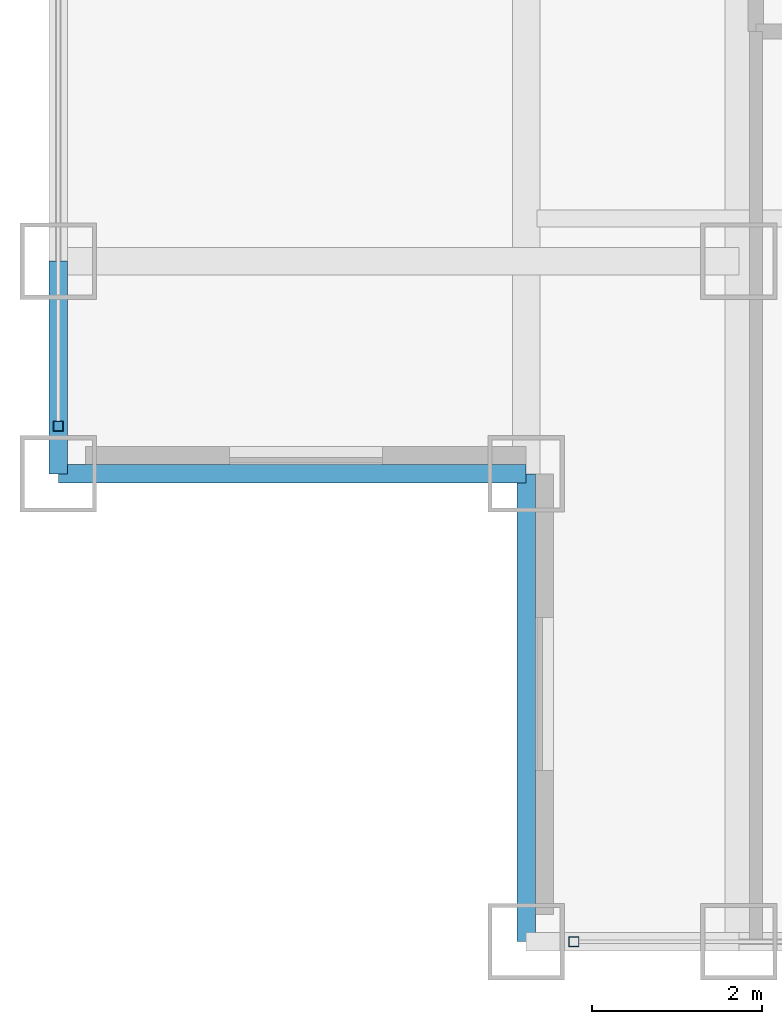
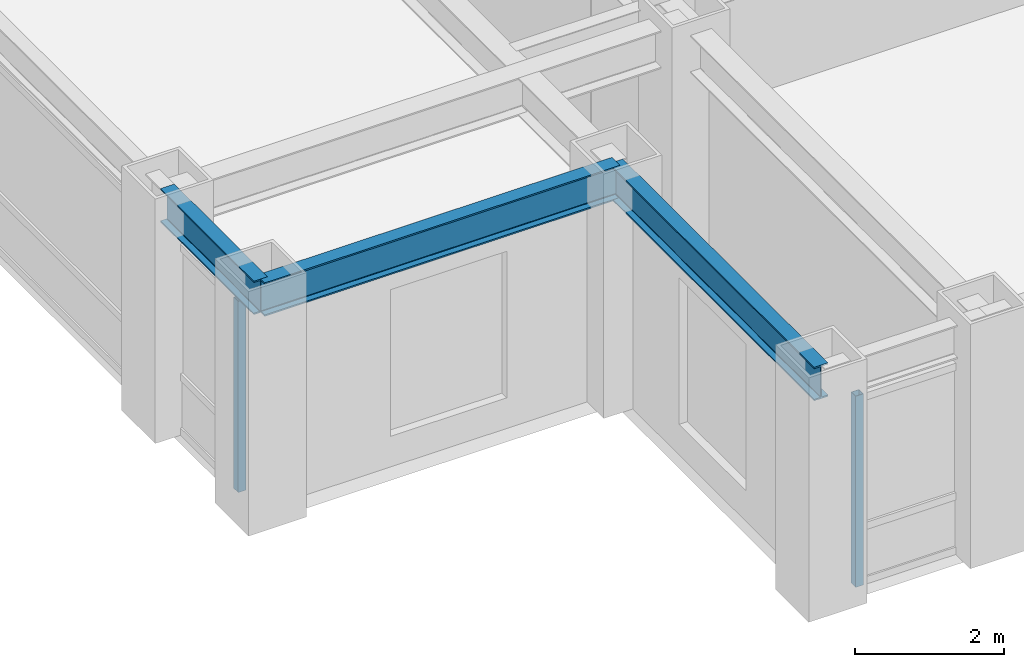
# One storey, part 2 of 22: 3 beams, 2 members, 2 elements without a shape of their own.
"""IFC4 building model written with IfcOpenShell, lengths in metres."""

from ifc_helpers import new_model, si_unit, direction, frame, origin, origin_2d, place, context, subcontext, project, spatial, hollow_rectangle, i_section, extrude, source, transform, mapped, material, material_profile, profile_set, type_object, element, aggregate, save


model = new_model("IFC4")

# Units and contexts
model_context = context("Model", 3, precision=1e-05, world=origin(), true_north=direction((0.0, 1.0)))
body_context = subcontext(model_context, "Body", "Model", "MODEL_VIEW")
ifc_project = project(units=[si_unit("LENGTHUNIT", "METRE"), si_unit("AREAUNIT", "SQUARE_METRE"), si_unit("VOLUMEUNIT", "CUBIC_METRE"), si_unit("PLANEANGLEUNIT", "RADIAN"), si_unit("MASSUNIT", "GRAM", prefix="KILO")], contexts=[model_context])

# Site, building, storey
site_placement = place(None, origin())
site = spatial("IfcSite", under=ifc_project, at=site_placement, CompositionType="ELEMENT")
building_placement = place(site_placement, origin())
building = spatial("IfcBuilding", under=site, at=building_placement, Name="Khorayat Bourse Tower", CompositionType="ELEMENT")
storey_placement = place(building_placement, frame((0.0, 0.0, 305.5)))
storey = spatial("IfcBuildingStorey", under=building, at=storey_placement, Name="L72", CompositionType="ELEMENT", Elevation=305.5)

# Beams
ifc_material_1 = material(Name="Steel ASTM A992 Grade 50", Category="steel")
ifc_material_profile_1 = material_profile(ifc_material_1, i_section(OverallWidth=0.214111328125, OverallDepth=0.549072265625, WebThickness=0.0146484375, FlangeThickness=0.023681640625, FilletRadius=0.013916015625, at=origin_2d()), Name="W530X138")
ifc_profile_set_1 = profile_set([ifc_material_profile_1], Name="Steel ASTM A992 Grade 50")
beam_type = type_object("IfcBeamType", Name="BM-SPAN-530", PredefinedType="SPANDREL", material=ifc_profile_set_1)
shared_shape_1 = source(origin(), body_context, "Body", "SweptSolid", [
    extrude(i_section(OverallWidth=0.214111328125, OverallDepth=0.549072265625, WebThickness=0.0146484375, FlangeThickness=0.023681640625, FilletRadius=0.013916015625, at=origin_2d()), origin(), (0.0, 0.0, 1.0), 2.5),
])
beam_placement = place(storey_placement, frame((-28.0, -22.5, 3.505615234375), z_axis=(0.0, 1.0, 0.0), x_axis=(-1.0, 0.0, 0.0)))
element("IfcBeam", 1, at=beam_placement, inside=storey, type_object=beam_type, Name="L72 BM-SPAN-530 BM-L72-SPN-061", PredefinedType="SPANDREL", context=body_context, shape_type="MappedRepresentation", body=[
    mapped(shared_shape_1, transform((0.0, 0.0, 0.0), scale=1.0)),
])
shared_shape_2 = source(origin(), body_context, "Body", "SweptSolid", [
    extrude(i_section(OverallWidth=0.214111328125, OverallDepth=0.549072265625, WebThickness=0.0146484375, FlangeThickness=0.023681640625, FilletRadius=0.013916015625, at=origin_2d()), origin(), (0.0, 0.0, 1.0), 5.5),
])
for number, where, z_axis, x_axis, name in (
    (2, (-28.0, -22.5, 3.505615234375), (1.0, 0.0, 0.0), (0.0, 1.0, 0.0), "L72 BM-SPAN-530 BM-L72-SPN-062"),
    (3, (-22.5, -28.0, 3.505615234375), (0.0, 1.0, 0.0), (-1.0, 0.0, 0.0), "L72 BM-SPAN-530 BM-L72-SPN-063"),
):
    element("IfcBeam", number, at=place(storey_placement, frame(where, z_axis=z_axis, x_axis=x_axis)), inside=storey, type_object=beam_type, Name=name, PredefinedType="SPANDREL", context=body_context, shape_type="MappedRepresentation", body=[
        mapped(shared_shape_2, transform((0.0, 0.0, 0.0), scale=1.0)),
    ])

# Curtain wall, member
ifc_material_2 = material(Name="Aluminium EN AW-6063 T6", Category="aluminium")
curtain_wall_type = type_object("IfcCurtainWallType", Name="CW-SYS-04", PredefinedType="NOTDEFINED", material=ifc_material_2)
curtain_wall_1_placement = place(storey_placement, origin())
curtain_wall_1 = element("IfcCurtainWall", 4, at=curtain_wall_1_placement, inside=storey, type_object=curtain_wall_type, Name="L72 Curtain Wall CW-L72-S1", PredefinedType="NOTDEFINED")
ifc_material_profile_2 = material_profile(ifc_material_2, hollow_rectangle(XDim=0.1201171875, YDim=0.1201171875, WallThickness=0.0048828125, at=origin_2d()), Name="ALU 120x120x5")
ifc_profile_set_2 = profile_set([ifc_material_profile_2], Name="Aluminium EN AW-6063 T6")
member_type = type_object("IfcMemberType", Name="CWM-VERT-120", PredefinedType="MULLION", material=ifc_profile_set_2)
shared_shape_3 = source(origin(), body_context, "Body", "SweptSolid", [
    extrude(hollow_rectangle(XDim=0.1201171875, YDim=0.1201171875, WallThickness=0.0048828125, at=origin_2d()), origin(), (0.0, 0.0, 1.0), 3.1298828125),
])
member_1_placement = place(storey_placement, frame((-21.93994140625, -28.0, 0.0), z_axis=(0.0, 0.0, 1.0), x_axis=(0.0, 1.0, 0.0)))
member_1 = element("IfcMember", 5, at=member_1_placement, type_object=member_type, Name="CW-L72-S1 Vertical Mullion 1", PredefinedType="MULLION", context=body_context, shape_type="MappedRepresentation", body=[
    mapped(shared_shape_3, transform((0.0, 0.0, 0.0), scale=1.0)),
])
aggregate(curtain_wall_1, [member_1])

curtain_wall_2_placement = place(storey_placement, origin())
curtain_wall_2 = element("IfcCurtainWall", 6, at=curtain_wall_2_placement, inside=storey, type_object=curtain_wall_type, Name="L72 Curtain Wall CW-L72-W1", PredefinedType="NOTDEFINED")
member_2_placement = place(storey_placement, frame((-28.0, -21.93994140625, 0.0), z_axis=(0.0, 0.0, 1.0), x_axis=(-1.0, 0.0, 0.0)))
member_2 = element("IfcMember", 7, at=member_2_placement, type_object=member_type, Name="CW-L72-W1 Vertical Mullion 1", PredefinedType="MULLION", context=body_context, shape_type="MappedRepresentation", body=[
    mapped(shared_shape_3, transform((0.0, 0.0, 0.0), scale=1.0)),
])
aggregate(curtain_wall_2, [member_2])

save(model, "model.ifc")
